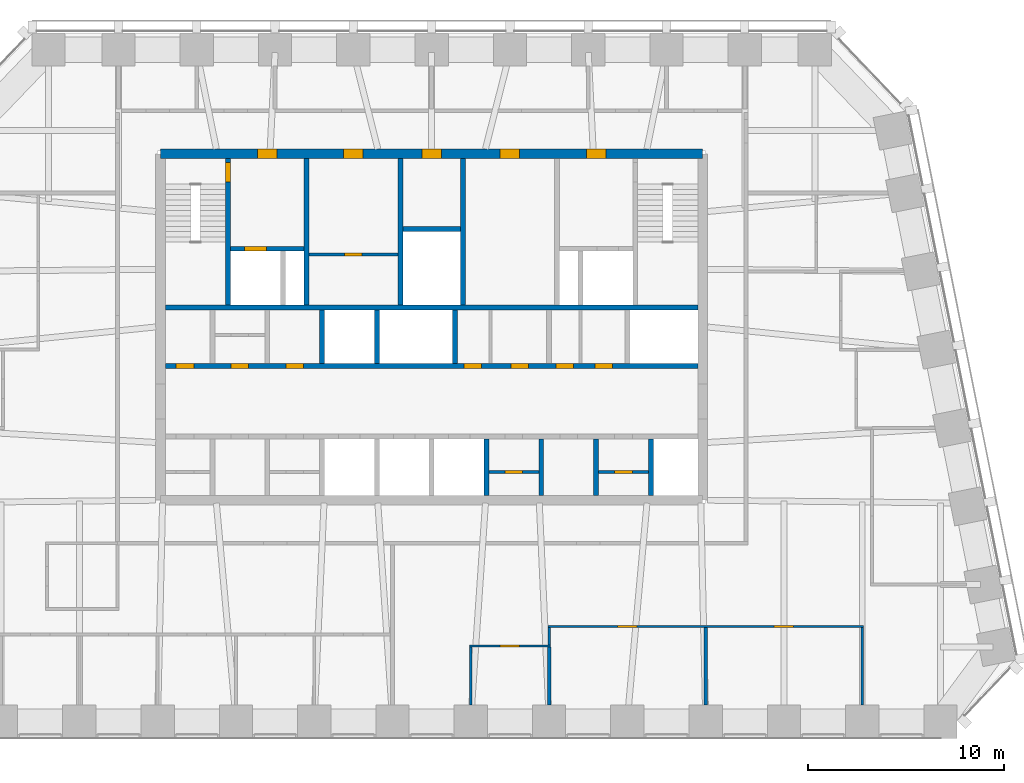
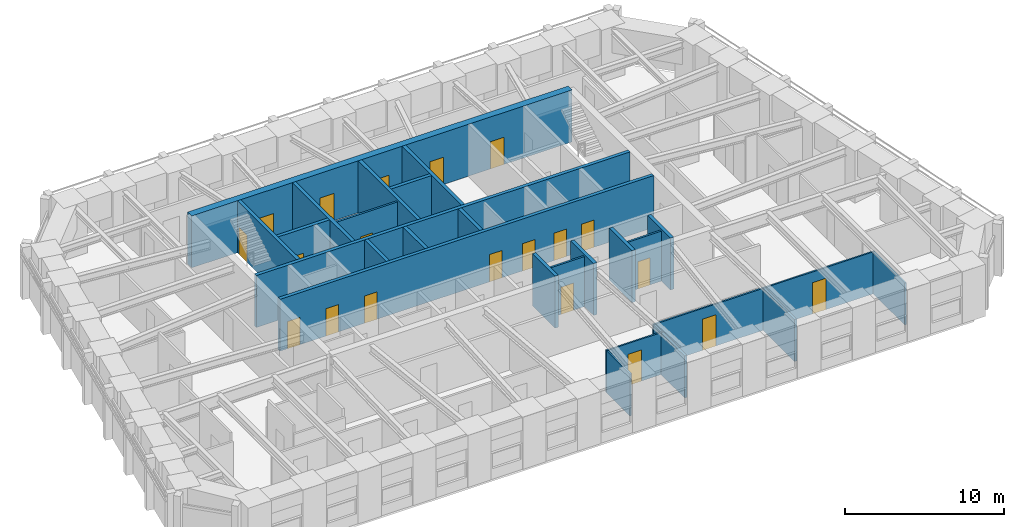
# One storey, part 6 of 11: 26 walls, 20 doors, 20 openings.
"""IFC4 building model written with IfcOpenShell, lengths in metres."""

from ifc_helpers import new_model, si_unit, direction, frame, frame_2d, origin, place, context, subcontext, project, spatial, rectangle, extrude, material, layer, layer_set, type_object, element, fill, save


model = new_model("IFC4")

# Units and contexts
model_context = context("Model", 3, precision=1e-05, world=origin(), true_north=direction((0.0, 1.0)))
body_context = subcontext(model_context, "Body", "Model", "MODEL_VIEW")
ifc_project = project(units=[si_unit("LENGTHUNIT", "METRE"), si_unit("AREAUNIT", "SQUARE_METRE"), si_unit("VOLUMEUNIT", "CUBIC_METRE"), si_unit("PLANEANGLEUNIT", "RADIAN"), si_unit("MASSUNIT", "GRAM", prefix="KILO")], contexts=[model_context])

# Site, building, storey
site_placement = place(None, origin())
site = spatial("IfcSite", under=ifc_project, at=site_placement, CompositionType="ELEMENT")
building_placement = place(site_placement, origin())
building = spatial("IfcBuilding", under=site, at=building_placement, Name="Isbrekke Arena Tower", CompositionType="ELEMENT")
storey_placement = place(building_placement, frame((0.0, 0.0, 288.0)))
storey = spatial("IfcBuildingStorey", under=building, at=storey_placement, Name="L67", CompositionType="ELEMENT", Elevation=288.0)

# Wall, openings, doors
ifc_material_1 = material(Name="Concrete B55 (C55/67)", Category="concrete")
ifc_layer_1 = layer(ifc_material_1, 0.5)
ifc_layer_set_1 = layer_set([ifc_layer_1], Name="CW5 CORE WALL 500")
wall_type_1 = type_object("IfcWallType", Name="CW5 CORE WALL 500", PredefinedType="SHEAR", material=ifc_layer_set_1)
wall_1_placement = place(storey_placement, frame((13.85009765625, 23.85009765625, 0.0), z_axis=(0.0, 0.0, 1.0), x_axis=(-1.0, 0.0, 0.0)))
wall_1 = element("IfcWall", 1, at=wall_1_placement, inside=storey, type_object=wall_type_1, Name="Core wall N L67", PredefinedType="SHEAR", context=body_context, shape_type="SweptSolid", body=[
    extrude(rectangle(XDim=27.7001953125, YDim=0.5, at=frame_2d((13.85009765625, 0.0))), origin(), (0.0, 0.0, 1.0), 4.0),
])
opening_1_placement = place(wall_1_placement, frame((21.75, 0.0, 0.0)))
opening_1 = element("IfcOpeningElement", 2, at=opening_1_placement, cuts=wall_1, Name="Opening D3", PredefinedType="OPENING", context=body_context, shape_type="SweptSolid", body=[
    extrude(rectangle(XDim=1.0, YDim=2.10009765625, at=frame_2d((0.5, 1.050048828125))), frame((0.0, 0.264892578125, 0.0), z_axis=(0.0, -1.0, 0.0), x_axis=(1.0, 0.0, 0.0)), (0.0, 0.0, 1.0), 0.52978515625),
])
opening_2_placement = place(wall_1_placement, frame((4.949951171875, 0.0, 0.0)))
opening_2 = element("IfcOpeningElement", 3, at=opening_2_placement, cuts=wall_1, Name="Opening D3", PredefinedType="OPENING", context=body_context, shape_type="SweptSolid", body=[
    extrude(rectangle(XDim=1.0, YDim=2.10009765625, at=frame_2d((0.5, 1.050048828125))), frame((0.0, 0.264892578125, 0.0), z_axis=(0.0, -1.0, 0.0), x_axis=(1.0, 0.0, 0.0)), (0.0, 0.0, 1.0), 0.52978515625),
])
opening_3_placement = place(wall_1_placement, frame((17.35009765625, 0.0, 0.0)))
opening_3 = element("IfcOpeningElement", 4, at=opening_3_placement, cuts=wall_1, Name="Opening D4", PredefinedType="OPENING", context=body_context, shape_type="SweptSolid", body=[
    extrude(rectangle(XDim=1.0, YDim=2.10009765625, at=frame_2d((0.5, 1.050048828125))), frame((0.0, 0.264892578125, 0.0), z_axis=(0.0, -1.0, 0.0), x_axis=(1.0, 0.0, 0.0)), (0.0, 0.0, 1.0), 0.52978515625),
])
opening_4_placement = place(wall_1_placement, frame((13.35009765625, 0.0, 0.0)))
opening_4 = element("IfcOpeningElement", 5, at=opening_4_placement, cuts=wall_1, Name="Opening D4", PredefinedType="OPENING", context=body_context, shape_type="SweptSolid", body=[
    extrude(rectangle(XDim=1.0, YDim=2.10009765625, at=frame_2d((0.5, 1.050048828125))), frame((0.0, 0.264892578125, 0.0), z_axis=(0.0, -1.0, 0.0), x_axis=(1.0, 0.0, 0.0)), (0.0, 0.0, 1.0), 0.52978515625),
])
opening_5_placement = place(wall_1_placement, frame((9.35009765625, 0.0, 0.0)))
opening_5 = element("IfcOpeningElement", 6, at=opening_5_placement, cuts=wall_1, Name="Opening D4", PredefinedType="OPENING", context=body_context, shape_type="SweptSolid", body=[
    extrude(rectangle(XDim=1.0, YDim=2.10009765625, at=frame_2d((0.5, 1.050048828125))), frame((0.0, 0.264892578125, 0.0), z_axis=(0.0, -1.0, 0.0), x_axis=(1.0, 0.0, 0.0)), (0.0, 0.0, 1.0), 0.52978515625),
])
ifc_material_2 = material(Name="Steel fire door", Category="steel")
door_type_1 = type_object("IfcDoorType", Name="D3 FIRE LOBBY DOOR 1000 x 2100", OperationType="SINGLE_SWING_RIGHT", PredefinedType="DOOR", material=ifc_material_2)
door_1_placement = place(opening_1_placement, origin())
door_1 = element("IfcDoor", 7, at=door_1_placement, inside=storey, type_object=door_type_1, Name="D3 fire-fighting lobby door L67", OperationType="SINGLE_SWING_RIGHT", OverallHeight=2.10009765625, OverallWidth=1.0, PredefinedType="DOOR", context=body_context, shape_type="SweptSolid", body=[
    extrude(rectangle(XDim=1.0, YDim=2.10009765625, at=frame_2d((0.5, 1.050048828125))), frame((0.0, 0.249755859375, 0.0), z_axis=(0.0, -1.0, 0.0), x_axis=(1.0, 0.0, 0.0)), (0.0, 0.0, 1.0), 0.49951171875),
])
fill(opening_1, door_1)
door_2_placement = place(opening_2_placement, origin())
door_2 = element("IfcDoor", 8, at=door_2_placement, inside=storey, type_object=door_type_1, Name="D3 fire-fighting lobby door L67", OperationType="SINGLE_SWING_RIGHT", OverallHeight=2.10009765625, OverallWidth=1.0, PredefinedType="DOOR", context=body_context, shape_type="SweptSolid", body=[
    extrude(rectangle(XDim=1.0, YDim=2.10009765625, at=frame_2d((0.5, 1.050048828125))), frame((0.0, 0.249755859375, 0.0), z_axis=(0.0, -1.0, 0.0), x_axis=(1.0, 0.0, 0.0)), (0.0, 0.0, 1.0), 0.49951171875),
])
fill(opening_2, door_2)
ifc_material_3 = material(Name="Timber door", Category="wood")
door_type_2 = type_object("IfcDoorType", Name="D4 WC DOOR 1000 x 2100", OperationType="SINGLE_SWING_LEFT", PredefinedType="DOOR", material=ifc_material_3)
door_3_placement = place(opening_3_placement, origin())
door_3 = element("IfcDoor", 9, at=door_3_placement, inside=storey, type_object=door_type_2, Name="D4 wc female door L67", OperationType="SINGLE_SWING_LEFT", OverallHeight=2.10009765625, OverallWidth=1.0, PredefinedType="DOOR", context=body_context, shape_type="SweptSolid", body=[
    extrude(rectangle(XDim=1.0, YDim=2.10009765625, at=frame_2d((0.5, 1.050048828125))), frame((0.0, 0.249755859375, 0.0), z_axis=(0.0, -1.0, 0.0), x_axis=(1.0, 0.0, 0.0)), (0.0, 0.0, 1.0), 0.49951171875),
])
fill(opening_3, door_3)
door_4_placement = place(opening_4_placement, origin())
door_4 = element("IfcDoor", 10, at=door_4_placement, inside=storey, type_object=door_type_2, Name="D4 accessible wc door L67", OperationType="SINGLE_SWING_LEFT", OverallHeight=2.10009765625, OverallWidth=1.0, PredefinedType="DOOR", context=body_context, shape_type="SweptSolid", body=[
    extrude(rectangle(XDim=1.0, YDim=2.10009765625, at=frame_2d((0.5, 1.050048828125))), frame((0.0, 0.249755859375, 0.0), z_axis=(0.0, -1.0, 0.0), x_axis=(1.0, 0.0, 0.0)), (0.0, 0.0, 1.0), 0.49951171875),
])
fill(opening_4, door_4)
door_5_placement = place(opening_5_placement, origin())
door_5 = element("IfcDoor", 11, at=door_5_placement, inside=storey, type_object=door_type_2, Name="D4 wc male door L67", OperationType="SINGLE_SWING_LEFT", OverallHeight=2.10009765625, OverallWidth=1.0, PredefinedType="DOOR", context=body_context, shape_type="SweptSolid", body=[
    extrude(rectangle(XDim=1.0, YDim=2.10009765625, at=frame_2d((0.5, 1.050048828125))), frame((0.0, 0.249755859375, 0.0), z_axis=(0.0, -1.0, 0.0), x_axis=(1.0, 0.0, 0.0)), (0.0, 0.0, 1.0), 0.49951171875),
])
fill(opening_5, door_5)

ifc_material_4 = material(Name="Concrete B45 (C45/55)", Category="concrete")
ifc_layer_2 = layer(ifc_material_4, 0.25)
ifc_layer_set_2 = layer_set([ifc_layer_2], Name="CW6 SHAFT WALL 250")
wall_type_2 = type_object("IfcWallType", Name="CW6 SHAFT WALL 250", PredefinedType="SHEAR", material=ifc_layer_set_2)
wall_2_placement = place(storey_placement, frame((-13.60009765625, 13.0, 0.0), z_axis=(0.0, 0.0, 1.0), x_axis=(1.0, 0.0, 0.0)))
wall_2 = element("IfcWall", 12, at=wall_2_placement, inside=storey, type_object=wall_type_2, Name="Core wall LN L67", PredefinedType="SHEAR", context=body_context, shape_type="SweptSolid", body=[
    extrude(rectangle(XDim=27.2001953125, YDim=0.25, at=frame_2d((13.60009765625, 0.0))), origin(), (0.0, 0.0, 1.0), 4.0),
])
opening_6_placement = place(wall_2_placement, frame((15.25, 0.0, 0.0)))
opening_6 = element("IfcOpeningElement", 13, at=opening_6_placement, cuts=wall_2, Name="Opening D5", PredefinedType="OPENING", context=body_context, shape_type="SweptSolid", body=[
    extrude(rectangle(XDim=0.89990234375, YDim=2.10009765625, at=frame_2d((0.449951171875, 1.050048828125))), frame((0.0, 0.139892578125, 0.0), z_axis=(0.0, -1.0, 0.0), x_axis=(1.0, 0.0, 0.0)), (0.0, 0.0, 1.0), 0.27978515625),
])
opening_7_placement = place(wall_2_placement, frame((17.64990234375, 0.0, 0.0)))
opening_7 = element("IfcOpeningElement", 14, at=opening_7_placement, cuts=wall_2, Name="Opening D5", PredefinedType="OPENING", context=body_context, shape_type="SweptSolid", body=[
    extrude(rectangle(XDim=0.89990234375, YDim=2.10009765625, at=frame_2d((0.449951171875, 1.050048828125))), frame((0.0, 0.139892578125, 0.0), z_axis=(0.0, -1.0, 0.0), x_axis=(1.0, 0.0, 0.0)), (0.0, 0.0, 1.0), 0.27978515625),
])
opening_8_placement = place(wall_2_placement, frame((19.949951171875, 0.0, 0.0)))
opening_8 = element("IfcOpeningElement", 15, at=opening_8_placement, cuts=wall_2, Name="Opening D5", PredefinedType="OPENING", context=body_context, shape_type="SweptSolid", body=[
    extrude(rectangle(XDim=0.89990234375, YDim=2.10009765625, at=frame_2d((0.449951171875, 1.050048828125))), frame((0.0, 0.139892578125, 0.0), z_axis=(0.0, -1.0, 0.0), x_axis=(1.0, 0.0, 0.0)), (0.0, 0.0, 1.0), 0.27978515625),
])
opening_9_placement = place(wall_2_placement, frame((21.949951171875, 0.0, 0.0)))
opening_9 = element("IfcOpeningElement", 16, at=opening_9_placement, cuts=wall_2, Name="Opening D5", PredefinedType="OPENING", context=body_context, shape_type="SweptSolid", body=[
    extrude(rectangle(XDim=0.89990234375, YDim=2.10009765625, at=frame_2d((0.449951171875, 1.050048828125))), frame((0.0, 0.139892578125, 0.0), z_axis=(0.0, -1.0, 0.0), x_axis=(1.0, 0.0, 0.0)), (0.0, 0.0, 1.0), 0.27978515625),
])
opening_10_placement = place(wall_2_placement, frame((0.550048828125, 0.0, 0.0)))
opening_10 = element("IfcOpeningElement", 17, at=opening_10_placement, cuts=wall_2, Name="Opening D5", PredefinedType="OPENING", context=body_context, shape_type="SweptSolid", body=[
    extrude(rectangle(XDim=0.89990234375, YDim=2.10009765625, at=frame_2d((0.449951171875, 1.050048828125))), frame((0.0, 0.139892578125, 0.0), z_axis=(0.0, -1.0, 0.0), x_axis=(1.0, 0.0, 0.0)), (0.0, 0.0, 1.0), 0.27978515625),
])
opening_11_placement = place(wall_2_placement, frame((3.35009765625, 0.0, 0.0)))
opening_11 = element("IfcOpeningElement", 18, at=opening_11_placement, cuts=wall_2, Name="Opening D5", PredefinedType="OPENING", context=body_context, shape_type="SweptSolid", body=[
    extrude(rectangle(XDim=0.89990234375, YDim=2.10009765625, at=frame_2d((0.449951171875, 1.050048828125))), frame((0.0, 0.139892578125, 0.0), z_axis=(0.0, -1.0, 0.0), x_axis=(1.0, 0.0, 0.0)), (0.0, 0.0, 1.0), 0.27978515625),
])
opening_12_placement = place(wall_2_placement, frame((6.14990234375, 0.0, 0.0)))
opening_12 = element("IfcOpeningElement", 19, at=opening_12_placement, cuts=wall_2, Name="Opening D5", PredefinedType="OPENING", context=body_context, shape_type="SweptSolid", body=[
    extrude(rectangle(XDim=0.89990234375, YDim=2.10009765625, at=frame_2d((0.449951171875, 1.050048828125))), frame((0.0, 0.139892578125, 0.0), z_axis=(0.0, -1.0, 0.0), x_axis=(1.0, 0.0, 0.0)), (0.0, 0.0, 1.0), 0.27978515625),
])
ifc_material_5 = material(Name="Steel fire door", Category="steel")
door_type_3 = type_object("IfcDoorType", Name="D5 SERVICE DOOR 900 x 2100", OperationType="SINGLE_SWING_LEFT", PredefinedType="DOOR", material=ifc_material_5)
door_6_placement = place(opening_6_placement, origin())
door_6 = element("IfcDoor", 20, at=door_6_placement, inside=storey, type_object=door_type_3, Name="D5 first-aid room door L67", OperationType="SINGLE_SWING_LEFT", OverallHeight=2.10009765625, OverallWidth=0.89990234375, PredefinedType="DOOR", context=body_context, shape_type="SweptSolid", body=[
    extrude(rectangle(XDim=0.89990234375, YDim=2.10009765625, at=frame_2d((0.449951171875, 1.050048828125))), frame((0.0, 0.124755859375, 0.0), z_axis=(0.0, -1.0, 0.0), x_axis=(1.0, 0.0, 0.0)), (0.0, 0.0, 1.0), 0.24951171875),
])
fill(opening_6, door_6)
door_7_placement = place(opening_7_placement, origin())
door_7 = element("IfcDoor", 21, at=door_7_placement, inside=storey, type_object=door_type_3, Name="D5 cleaner's store door L67", OperationType="SINGLE_SWING_LEFT", OverallHeight=2.10009765625, OverallWidth=0.89990234375, PredefinedType="DOOR", context=body_context, shape_type="SweptSolid", body=[
    extrude(rectangle(XDim=0.89990234375, YDim=2.10009765625, at=frame_2d((0.449951171875, 1.050048828125))), frame((0.0, 0.124755859375, 0.0), z_axis=(0.0, -1.0, 0.0), x_axis=(1.0, 0.0, 0.0)), (0.0, 0.0, 1.0), 0.24951171875),
])
fill(opening_7, door_7)
door_8_placement = place(opening_8_placement, origin())
door_8 = element("IfcDoor", 22, at=door_8_placement, inside=storey, type_object=door_type_3, Name="D5 tenant store door L67", OperationType="SINGLE_SWING_LEFT", OverallHeight=2.10009765625, OverallWidth=0.89990234375, PredefinedType="DOOR", context=body_context, shape_type="SweptSolid", body=[
    extrude(rectangle(XDim=0.89990234375, YDim=2.10009765625, at=frame_2d((0.449951171875, 1.050048828125))), frame((0.0, 0.124755859375, 0.0), z_axis=(0.0, -1.0, 0.0), x_axis=(1.0, 0.0, 0.0)), (0.0, 0.0, 1.0), 0.24951171875),
])
fill(opening_8, door_8)
door_9_placement = place(opening_9_placement, origin())
door_9 = element("IfcDoor", 23, at=door_9_placement, inside=storey, type_object=door_type_3, Name="D5 communications room door L67", OperationType="SINGLE_SWING_LEFT", OverallHeight=2.10009765625, OverallWidth=0.89990234375, PredefinedType="DOOR", context=body_context, shape_type="SweptSolid", body=[
    extrude(rectangle(XDim=0.89990234375, YDim=2.10009765625, at=frame_2d((0.449951171875, 1.050048828125))), frame((0.0, 0.124755859375, 0.0), z_axis=(0.0, -1.0, 0.0), x_axis=(1.0, 0.0, 0.0)), (0.0, 0.0, 1.0), 0.24951171875),
])
fill(opening_9, door_9)
door_10_placement = place(opening_10_placement, origin())
door_10 = element("IfcDoor", 24, at=door_10_placement, inside=storey, type_object=door_type_3, Name="D5 archive door L67", OperationType="SINGLE_SWING_LEFT", OverallHeight=2.10009765625, OverallWidth=0.89990234375, PredefinedType="DOOR", context=body_context, shape_type="SweptSolid", body=[
    extrude(rectangle(XDim=0.89990234375, YDim=2.10009765625, at=frame_2d((0.449951171875, 1.050048828125))), frame((0.0, 0.124755859375, 0.0), z_axis=(0.0, -1.0, 0.0), x_axis=(1.0, 0.0, 0.0)), (0.0, 0.0, 1.0), 0.24951171875),
])
fill(opening_10, door_10)
door_11_placement = place(opening_11_placement, origin())
door_11 = element("IfcDoor", 25, at=door_11_placement, inside=storey, type_object=door_type_3, Name="D5 pantry door L67", OperationType="SINGLE_SWING_LEFT", OverallHeight=2.10009765625, OverallWidth=0.89990234375, PredefinedType="DOOR", context=body_context, shape_type="SweptSolid", body=[
    extrude(rectangle(XDim=0.89990234375, YDim=2.10009765625, at=frame_2d((0.449951171875, 1.050048828125))), frame((0.0, 0.124755859375, 0.0), z_axis=(0.0, -1.0, 0.0), x_axis=(1.0, 0.0, 0.0)), (0.0, 0.0, 1.0), 0.24951171875),
])
fill(opening_11, door_11)
door_12_placement = place(opening_12_placement, origin())
door_12 = element("IfcDoor", 26, at=door_12_placement, inside=storey, type_object=door_type_3, Name="D5 technical room door L67", OperationType="SINGLE_SWING_LEFT", OverallHeight=2.10009765625, OverallWidth=0.89990234375, PredefinedType="DOOR", context=body_context, shape_type="SweptSolid", body=[
    extrude(rectangle(XDim=0.89990234375, YDim=2.10009765625, at=frame_2d((0.449951171875, 1.050048828125))), frame((0.0, 0.124755859375, 0.0), z_axis=(0.0, -1.0, 0.0), x_axis=(1.0, 0.0, 0.0)), (0.0, 0.0, 1.0), 0.24951171875),
])
fill(opening_12, door_12)

# Walls
wall_3_placement = place(storey_placement, frame((-13.60009765625, 16.0, 0.0), z_axis=(0.0, 0.0, 1.0), x_axis=(1.0, 0.0, 0.0)))
element("IfcWall", 27, at=wall_3_placement, inside=storey, type_object=wall_type_2, Name="Core wall NB L67", PredefinedType="SHEAR", context=body_context, shape_type="SweptSolid", body=[
    extrude(rectangle(XDim=27.2001953125, YDim=0.25, at=frame_2d((13.60009765625, 0.0))), origin(), (0.0, 0.0, 1.0), 4.0),
])
for number, where, z_axis, x_axis, name in (
    (28, (2.800048828125, 6.39990234375, 0.0), (0.0, 0.0, 1.0), (0.0, 1.0, 0.0), "Core wall SS06 L67"),
    (29, (5.60009765625, 6.39990234375, 0.0), (0.0, 0.0, 1.0), (0.0, 1.0, 0.0), "Core wall SS07 L67"),
    (30, (8.39990234375, 6.39990234375, 0.0), (0.0, 0.0, 1.0), (0.0, 1.0, 0.0), "Core wall SS08 L67"),
    (31, (11.199951171875, 6.39990234375, 0.0), (0.0, 0.0, 1.0), (0.0, 1.0, 0.0), "Core wall SS09 L67"),
):
    element("IfcWall", number, at=place(storey_placement, frame(where, z_axis=z_axis, x_axis=x_axis)), inside=storey, type_object=wall_type_2, Name=name, PredefinedType="SHEAR", context=body_context, shape_type="SweptSolid", body=[
        extrude(rectangle(XDim=2.875, YDim=0.25, at=frame_2d((1.4375, 0.0))), origin(), (0.0, 0.0, 1.0), 4.0),
    ])
for number, where, z_axis, x_axis, name in (
    (32, (-5.60009765625, 13.125, 0.0), (0.0, 0.0, 1.0), (0.0, 1.0, 0.0), "Core wall SN03 L67"),
    (33, (-2.800048828125, 13.125, 0.0), (0.0, 0.0, 1.0), (0.0, 1.0, 0.0), "Core wall SN04 L67"),
    (34, (1.199951171875, 13.125, 0.0), (0.0, 0.0, 1.0), (0.0, 1.0, 0.0), "Core wall SN05 L67"),
):
    element("IfcWall", number, at=place(storey_placement, frame(where, z_axis=z_axis, x_axis=x_axis)), inside=storey, type_object=wall_type_2, Name=name, PredefinedType="SHEAR", context=body_context, shape_type="SweptSolid", body=[
        extrude(rectangle(XDim=2.75, YDim=0.25, at=frame_2d((1.375, 0.0))), origin(), (0.0, 0.0, 1.0), 4.0),
    ])

# Wall, opening, door
wall_4_placement = place(storey_placement, frame((-10.39990234375, 16.125, 0.0), z_axis=(0.0, 0.0, 1.0), x_axis=(0.0, 1.0, 0.0)))
wall_4 = element("IfcWall", 35, at=wall_4_placement, inside=storey, type_object=wall_type_2, Name="Core wall NV01 L67", PredefinedType="SHEAR", context=body_context, shape_type="SweptSolid", body=[
    extrude(rectangle(XDim=7.47509765625, YDim=0.25, at=frame_2d((3.737548828125, 0.0))), origin(), (0.0, 0.0, 1.0), 4.0),
])
opening_13_placement = place(wall_4_placement, frame((6.27490234375, 0.0, 0.0)))
opening_13 = element("IfcOpeningElement", 36, at=opening_13_placement, cuts=wall_4, Name="Opening D2", PredefinedType="OPENING", context=body_context, shape_type="SweptSolid", body=[
    extrude(rectangle(XDim=1.0, YDim=2.10009765625, at=frame_2d((0.5, 1.050048828125))), frame((0.0, 0.139892578125, 0.0), z_axis=(0.0, -1.0, 0.0), x_axis=(1.0, 0.0, 0.0)), (0.0, 0.0, 1.0), 0.27978515625),
])
ifc_material_6 = material(Name="Steel fire door", Category="steel")
door_type_4 = type_object("IfcDoorType", Name="D2 STAIR DOOR 1000 x 2100", OperationType="SINGLE_SWING_LEFT", PredefinedType="DOOR", material=ifc_material_6)
door_13_placement = place(opening_13_placement, origin())
door_13 = element("IfcDoor", 37, at=door_13_placement, inside=storey, type_object=door_type_4, Name="D2 stair door ST1 L67", OperationType="SINGLE_SWING_LEFT", OverallHeight=2.10009765625, OverallWidth=1.0, PredefinedType="DOOR", context=body_context, shape_type="SweptSolid", body=[
    extrude(rectangle(XDim=1.0, YDim=2.10009765625, at=frame_2d((0.5, 1.050048828125))), frame((0.0, 0.124755859375, 0.0), z_axis=(0.0, -1.0, 0.0), x_axis=(1.0, 0.0, 0.0)), (0.0, 0.0, 1.0), 0.24951171875),
])
fill(opening_13, door_13)

# Walls
for number, where, z_axis, x_axis, name in (
    (38, (-6.39990234375, 16.125, 0.0), (0.0, 0.0, 1.0), (0.0, 1.0, 0.0), "Core wall NV02 L67"),
    (39, (-1.60009765625, 16.125, 0.0), (0.0, 0.0, 1.0), (0.0, 1.0, 0.0), "Core wall NV03 L67"),
    (40, (1.60009765625, 16.125, 0.0), (0.0, 0.0, 1.0), (0.0, 1.0, 0.0), "Core wall NV04 L67"),
):
    element("IfcWall", number, at=place(storey_placement, frame(where, z_axis=z_axis, x_axis=x_axis)), inside=storey, type_object=wall_type_2, Name=name, PredefinedType="SHEAR", context=body_context, shape_type="SweptSolid", body=[
        extrude(rectangle(XDim=7.47509765625, YDim=0.25, at=frame_2d((3.737548828125, 0.0))), origin(), (0.0, 0.0, 1.0), 4.0),
    ])

# Wall, opening, door
wall_5_placement = place(storey_placement, frame((-10.27490234375, 19.0, 0.0), z_axis=(0.0, 0.0, 1.0), x_axis=(1.0, 0.0, 0.0)))
wall_5 = element("IfcWall", 41, at=wall_5_placement, inside=storey, type_object=wall_type_2, Name="Core wall NFW L67", PredefinedType="SHEAR", context=body_context, shape_type="SweptSolid", body=[
    extrude(rectangle(XDim=3.75, YDim=0.25, at=frame_2d((1.875, 0.0))), origin(), (0.0, 0.0, 1.0), 4.0),
])
opening_14_placement = place(wall_5_placement, frame((0.72509765625, 0.0, 0.0)))
opening_14 = element("IfcOpeningElement", 42, at=opening_14_placement, cuts=wall_5, Name="Opening LD2", PredefinedType="OPENING", context=body_context, shape_type="SweptSolid", body=[
    extrude(rectangle(XDim=1.10009765625, YDim=2.10009765625, at=frame_2d((0.550048828125, 1.050048828125))), frame((0.0, 0.139892578125, 0.0), z_axis=(0.0, -1.0, 0.0), x_axis=(1.0, 0.0, 0.0)), (0.0, 0.0, 1.0), 0.27978515625),
])
ifc_material_7 = material(Name="Stainless steel lift landing door", Category="steel")
door_type_5 = type_object("IfcDoorType", Name="LD2 FIRE-FIGHTING LIFT LANDING DOOR 1100 x 2100", OperationType="SLIDING_TO_RIGHT", PredefinedType="DOOR", material=ifc_material_7)
door_14_placement = place(opening_14_placement, origin())
door_14 = element("IfcDoor", 43, at=door_14_placement, inside=storey, type_object=door_type_5, Name="LD2 lift landing door LF L67", OperationType="SLIDING_TO_RIGHT", OverallHeight=2.10009765625, OverallWidth=1.10009765625, PredefinedType="DOOR", context=body_context, shape_type="SweptSolid", body=[
    extrude(rectangle(XDim=1.10009765625, YDim=2.10009765625, at=frame_2d((0.550048828125, 1.050048828125))), frame((0.0, 0.124755859375, 0.0), z_axis=(0.0, -1.0, 0.0), x_axis=(1.0, 0.0, 0.0)), (0.0, 0.0, 1.0), 0.24951171875),
])
fill(opening_14, door_14)

# Wall
wall_6_placement = place(storey_placement, frame((-1.47509765625, 20.0, 0.0), z_axis=(0.0, 0.0, 1.0), x_axis=(1.0, 0.0, 0.0)))
element("IfcWall", 44, at=wall_6_placement, inside=storey, type_object=wall_type_2, Name="Core wall NWC L67", PredefinedType="SHEAR", context=body_context, shape_type="SweptSolid", body=[
    extrude(rectangle(XDim=2.9501953125, YDim=0.25, at=frame_2d((1.47509765625, 0.0))), origin(), (0.0, 0.0, 1.0), 4.0),
])

# Wall, opening, door
ifc_material_8 = material(Name="Frameless glazed partition, laminated acoustic glass", Category="glass")
ifc_layer_3 = layer(ifc_material_8, 0.1201171875)
ifc_layer_set_3 = layer_set([ifc_layer_3], Name="IW2 GLAZED PARTITION 120")
wall_type_3 = type_object("IfcWallType", Name="IW2 GLAZED PARTITION 120", PredefinedType="PARTITIONING", material=ifc_layer_set_3)
wall_7_placement = place(storey_placement, frame((1.93994140625, -1.300048828125, 0.0), z_axis=(0.0, 0.0, 1.0), x_axis=(1.0, 0.0, 0.0)))
wall_7 = element("IfcWall", 45, at=wall_7_placement, inside=storey, type_object=wall_type_3, Name="IW2 glazed partition 120 L67", PredefinedType="PARTITIONING", context=body_context, shape_type="SweptSolid", body=[
    extrude(rectangle(XDim=4.1201171875, YDim=0.1201171875, at=frame_2d((2.06005859375, 0.0))), origin(), (0.0, 0.0, 1.0), 3.22998046875),
])
opening_15_placement = place(wall_7_placement, frame((1.56005859375, 0.0, 0.0)))
opening_15 = element("IfcOpeningElement", 46, at=opening_15_placement, cuts=wall_7, Name="Opening D11", PredefinedType="OPENING", context=body_context, shape_type="SweptSolid", body=[
    extrude(rectangle(XDim=1.0, YDim=2.39990234375, at=frame_2d((0.5, 1.199951171875))), frame((0.0, 0.074951171875, 0.0), z_axis=(0.0, -1.0, 0.0), x_axis=(1.0, 0.0, 0.0)), (0.0, 0.0, 1.0), 0.14990234375),
])
ifc_material_9 = material(Name="Frameless glazed door", Category="glass")
door_type_6 = type_object("IfcDoorType", Name="D11 GLAZED MEETING ROOM DOOR 1000 x 2400", OperationType="SINGLE_SWING_RIGHT", PredefinedType="DOOR", material=ifc_material_9)
door_15_placement = place(opening_15_placement, origin())
door_15 = element("IfcDoor", 47, at=door_15_placement, inside=storey, type_object=door_type_6, Name="D11 quiet room door L67", OperationType="SINGLE_SWING_RIGHT", OverallHeight=2.39990234375, OverallWidth=1.0, PredefinedType="DOOR", context=body_context, shape_type="SweptSolid", body=[
    extrude(rectangle(XDim=1.0, YDim=2.39990234375, at=frame_2d((0.5, 1.199951171875))), frame((0.0, 0.059814453125, 0.0), z_axis=(0.0, -1.0, 0.0), x_axis=(1.0, 0.0, 0.0)), (0.0, 0.0, 1.0), 0.11962890625),
])
fill(opening_15, door_15)

# Wall, openings, doors
wall_8_placement = place(storey_placement, frame((5.93994140625, -0.300048828125, 0.0), z_axis=(0.0, 0.0, 1.0), x_axis=(1.0, 0.0, 0.0)))
wall_8 = element("IfcWall", 48, at=wall_8_placement, inside=storey, type_object=wall_type_3, Name="IW2 glazed partition 120 L67", PredefinedType="PARTITIONING", context=body_context, shape_type="SweptSolid", body=[
    extrude(rectangle(XDim=16.1201171875, YDim=0.1201171875, at=frame_2d((8.06005859375, 0.0))), origin(), (0.0, 0.0, 1.0), 3.22998046875),
])
opening_16_placement = place(wall_8_placement, frame((3.56005859375, 0.0, 0.0)))
opening_16 = element("IfcOpeningElement", 49, at=opening_16_placement, cuts=wall_8, Name="Opening D11", PredefinedType="OPENING", context=body_context, shape_type="SweptSolid", body=[
    extrude(rectangle(XDim=1.0, YDim=2.39990234375, at=frame_2d((0.5, 1.199951171875))), frame((0.0, 0.074951171875, 0.0), z_axis=(0.0, -1.0, 0.0), x_axis=(1.0, 0.0, 0.0)), (0.0, 0.0, 1.0), 0.14990234375),
])
opening_17_placement = place(wall_8_placement, frame((11.56005859375, 0.0, 0.0)))
opening_17 = element("IfcOpeningElement", 50, at=opening_17_placement, cuts=wall_8, Name="Opening D11", PredefinedType="OPENING", context=body_context, shape_type="SweptSolid", body=[
    extrude(rectangle(XDim=1.0, YDim=2.39990234375, at=frame_2d((0.5, 1.199951171875))), frame((0.0, 0.074951171875, 0.0), z_axis=(0.0, -1.0, 0.0), x_axis=(1.0, 0.0, 0.0)), (0.0, 0.0, 1.0), 0.14990234375),
])
door_16_placement = place(opening_16_placement, origin())
door_16 = element("IfcDoor", 51, at=door_16_placement, inside=storey, type_object=door_type_6, Name="D11 project room door L67", OperationType="SINGLE_SWING_RIGHT", OverallHeight=2.39990234375, OverallWidth=1.0, PredefinedType="DOOR", context=body_context, shape_type="SweptSolid", body=[
    extrude(rectangle(XDim=1.0, YDim=2.39990234375, at=frame_2d((0.5, 1.199951171875))), frame((0.0, 0.059814453125, 0.0), z_axis=(0.0, -1.0, 0.0), x_axis=(1.0, 0.0, 0.0)), (0.0, 0.0, 1.0), 0.11962890625),
])
fill(opening_16, door_16)
door_17_placement = place(opening_17_placement, origin())
door_17 = element("IfcDoor", 52, at=door_17_placement, inside=storey, type_object=door_type_6, Name="D11 project room door L67", OperationType="SINGLE_SWING_RIGHT", OverallHeight=2.39990234375, OverallWidth=1.0, PredefinedType="DOOR", context=body_context, shape_type="SweptSolid", body=[
    extrude(rectangle(XDim=1.0, YDim=2.39990234375, at=frame_2d((0.5, 1.199951171875))), frame((0.0, 0.059814453125, 0.0), z_axis=(0.0, -1.0, 0.0), x_axis=(1.0, 0.0, 0.0)), (0.0, 0.0, 1.0), 0.11962890625),
])
fill(opening_17, door_17)

# Walls
wall_9_placement = place(storey_placement, frame((2.0, -4.324951171875, 0.0), z_axis=(0.0, 0.0, 1.0), x_axis=(0.0, 1.0, 0.0)))
element("IfcWall", 53, at=wall_9_placement, inside=storey, type_object=wall_type_3, Name="IW2 glazed partition 120 L67", PredefinedType="PARTITIONING", context=body_context, shape_type="SweptSolid", body=[
    extrude(rectangle(XDim=2.96484375, YDim=0.1201171875, at=frame_2d((1.482421875, 0.0))), origin(), (0.0, 0.0, 1.0), 3.22998046875),
])
wall_10_placement = place(storey_placement, frame((6.0, -1.239990234375, 0.0), z_axis=(0.0, 0.0, 1.0), x_axis=(0.0, 1.0, 0.0)))
element("IfcWall", 54, at=wall_10_placement, inside=storey, type_object=wall_type_3, Name="IW2 glazed partition 120 L67", PredefinedType="PARTITIONING", context=body_context, shape_type="SweptSolid", body=[
    extrude(rectangle(XDim=0.8798828125, YDim=0.1201171875, at=frame_2d((0.43994140625, 0.0))), origin(), (0.0, 0.0, 1.0), 3.22998046875),
])
wall_11_placement = place(storey_placement, frame((22.0, -4.324951171875, 0.0), z_axis=(0.0, 0.0, 1.0), x_axis=(0.0, 1.0, 0.0)))
element("IfcWall", 55, at=wall_11_placement, inside=storey, type_object=wall_type_3, Name="IW2 glazed partition 120 L67", PredefinedType="PARTITIONING", context=body_context, shape_type="SweptSolid", body=[
    extrude(rectangle(XDim=3.96484375, YDim=0.1201171875, at=frame_2d((1.982421875, 0.0))), origin(), (0.0, 0.0, 1.0), 3.22998046875),
])
ifc_material_10 = material(Name="Gypsum board acoustic partition on twin steel studs", Category="steel")
ifc_layer_4 = layer(ifc_material_10, 0.175048828125)
ifc_layer_set_4 = layer_set([ifc_layer_4], Name="IW4 ACOUSTIC PARTITION 175")
wall_type_4 = type_object("IfcWallType", Name="IW4 ACOUSTIC PARTITION 175", PredefinedType="PARTITIONING", material=ifc_layer_set_4)
wall_12_placement = place(storey_placement, frame((6.0, -4.324951171875, 0.0), z_axis=(0.0, 0.0, 1.0), x_axis=(0.0, 1.0, 0.0)))
element("IfcWall", 56, at=wall_12_placement, inside=storey, type_object=wall_type_4, Name="IW4 acoustic partition 175 L67", PredefinedType="PARTITIONING", context=body_context, shape_type="SweptSolid", body=[
    extrude(rectangle(XDim=2.96484375, YDim=0.175048828125, at=frame_2d((1.482421875, 0.0))), origin(), (0.0, 0.0, 1.0), 3.22998046875),
])
wall_13_placement = place(storey_placement, frame((14.0, -4.324951171875, 0.0), z_axis=(0.0, 0.0, 1.0), x_axis=(0.0, 1.0, 0.0)))
element("IfcWall", 57, at=wall_13_placement, inside=storey, type_object=wall_type_4, Name="IW4 acoustic partition 175 L67", PredefinedType="PARTITIONING", context=body_context, shape_type="SweptSolid", body=[
    extrude(rectangle(XDim=3.96484375, YDim=0.175048828125, at=frame_2d((1.982421875, 0.0))), origin(), (0.0, 0.0, 1.0), 3.22998046875),
])

# Wall, opening, door
ifc_material_11 = material(Name="Gypsum board fire-rated partition on steel studs, two layers each side", Category="steel")
ifc_layer_5 = layer(ifc_material_11, 0.14990234375)
ifc_layer_set_5 = layer_set([ifc_layer_5], Name="IW5 FIRE-RATED PARTITION 150")
wall_type_5 = type_object("IfcWallType", Name="IW5 FIRE-RATED PARTITION 150", PredefinedType="PARTITIONING", material=ifc_layer_set_5)
wall_14_placement = place(storey_placement, frame((-6.27490234375, 18.699951171875, 0.0), z_axis=(0.0, 0.0, 1.0), x_axis=(1.0, 0.0, 0.0)))
wall_14 = element("IfcWall", 58, at=wall_14_placement, inside=storey, type_object=wall_type_5, Name="IW5 fire-rated partition L67 cleaner's store F", PredefinedType="PARTITIONING", context=body_context, shape_type="SweptSolid", body=[
    extrude(rectangle(XDim=4.5498046875, YDim=0.14990234375, at=frame_2d((2.27490234375, 0.0))), origin(), (0.0, 0.0, 1.0), 3.85009765625),
])
opening_18_placement = place(wall_14_placement, frame((1.824951171875, 0.0, 0.0)))
opening_18 = element("IfcOpeningElement", 59, at=opening_18_placement, cuts=wall_14, Name="Opening D5", PredefinedType="OPENING", context=body_context, shape_type="SweptSolid", body=[
    extrude(rectangle(XDim=0.89990234375, YDim=2.10009765625, at=frame_2d((0.449951171875, 1.050048828125))), frame((0.0, 0.08984375, 0.0), z_axis=(0.0, -1.0, 0.0), x_axis=(1.0, 0.0, 0.0)), (0.0, 0.0, 1.0), 0.1796875),
])
door_18_placement = place(opening_18_placement, origin())
door_18 = element("IfcDoor", 60, at=door_18_placement, inside=storey, type_object=door_type_3, Name="D5 cleaner's store door L67", OperationType="SINGLE_SWING_LEFT", OverallHeight=2.10009765625, OverallWidth=0.89990234375, PredefinedType="DOOR", context=body_context, shape_type="SweptSolid", body=[
    extrude(rectangle(XDim=0.89990234375, YDim=2.10009765625, at=frame_2d((0.449951171875, 1.050048828125))), frame((0.0, 0.07470703125, 0.0), z_axis=(0.0, -1.0, 0.0), x_axis=(1.0, 0.0, 0.0)), (0.0, 0.0, 1.0), 0.1494140625),
])
fill(opening_18, door_18)

wall_15_placement = place(storey_placement, frame((2.925048828125, 7.60009765625, 0.0), z_axis=(0.0, 0.0, 1.0), x_axis=(1.0, 0.0, 0.0)))
wall_15 = element("IfcWall", 61, at=wall_15_placement, inside=storey, type_object=wall_type_5, Name="IW5 fire-rated partition L67 core service rooms 6", PredefinedType="PARTITIONING", context=body_context, shape_type="SweptSolid", body=[
    extrude(rectangle(XDim=2.550048828125, YDim=0.14990234375, at=frame_2d((1.27490234375, 0.0))), origin(), (0.0, 0.0, 1.0), 3.85009765625),
])
opening_19_placement = place(wall_15_placement, frame((0.824951171875, 0.0, 0.0)))
opening_19 = element("IfcOpeningElement", 62, at=opening_19_placement, cuts=wall_15, Name="Opening D5", PredefinedType="OPENING", context=body_context, shape_type="SweptSolid", body=[
    extrude(rectangle(XDim=0.89990234375, YDim=2.10009765625, at=frame_2d((0.449951171875, 1.050048828125))), frame((0.0, 0.08984375, 0.0), z_axis=(0.0, -1.0, 0.0), x_axis=(1.0, 0.0, 0.0)), (0.0, 0.0, 1.0), 0.1796875),
])
door_19_placement = place(opening_19_placement, origin())
door_19 = element("IfcDoor", 63, at=door_19_placement, inside=storey, type_object=door_type_3, Name="D5 store door L67", OperationType="SINGLE_SWING_LEFT", OverallHeight=2.10009765625, OverallWidth=0.89990234375, PredefinedType="DOOR", context=body_context, shape_type="SweptSolid", body=[
    extrude(rectangle(XDim=0.89990234375, YDim=2.10009765625, at=frame_2d((0.449951171875, 1.050048828125))), frame((0.0, 0.07470703125, 0.0), z_axis=(0.0, -1.0, 0.0), x_axis=(1.0, 0.0, 0.0)), (0.0, 0.0, 1.0), 0.1494140625),
])
fill(opening_19, door_19)

wall_16_placement = place(storey_placement, frame((8.52490234375, 7.60009765625, 0.0), z_axis=(0.0, 0.0, 1.0), x_axis=(1.0, 0.0, 0.0)))
wall_16 = element("IfcWall", 64, at=wall_16_placement, inside=storey, type_object=wall_type_5, Name="IW5 fire-rated partition L67 core service rooms 7", PredefinedType="PARTITIONING", context=body_context, shape_type="SweptSolid", body=[
    extrude(rectangle(XDim=2.550048828125, YDim=0.14990234375, at=frame_2d((1.27490234375, 0.0))), origin(), (0.0, 0.0, 1.0), 3.85009765625),
])
opening_20_placement = place(wall_16_placement, frame((0.824951171875, 0.0, 0.0)))
opening_20 = element("IfcOpeningElement", 65, at=opening_20_placement, cuts=wall_16, Name="Opening D5", PredefinedType="OPENING", context=body_context, shape_type="SweptSolid", body=[
    extrude(rectangle(XDim=0.89990234375, YDim=2.10009765625, at=frame_2d((0.449951171875, 1.050048828125))), frame((0.0, 0.08984375, 0.0), z_axis=(0.0, -1.0, 0.0), x_axis=(1.0, 0.0, 0.0)), (0.0, 0.0, 1.0), 0.1796875),
])
door_20_placement = place(opening_20_placement, origin())
door_20 = element("IfcDoor", 66, at=door_20_placement, inside=storey, type_object=door_type_3, Name="D5 archive door L67", OperationType="SINGLE_SWING_LEFT", OverallHeight=2.10009765625, OverallWidth=0.89990234375, PredefinedType="DOOR", context=body_context, shape_type="SweptSolid", body=[
    extrude(rectangle(XDim=0.89990234375, YDim=2.10009765625, at=frame_2d((0.449951171875, 1.050048828125))), frame((0.0, 0.07470703125, 0.0), z_axis=(0.0, -1.0, 0.0), x_axis=(1.0, 0.0, 0.0)), (0.0, 0.0, 1.0), 0.1494140625),
])
fill(opening_20, door_20)

save(model, "model.ifc")
